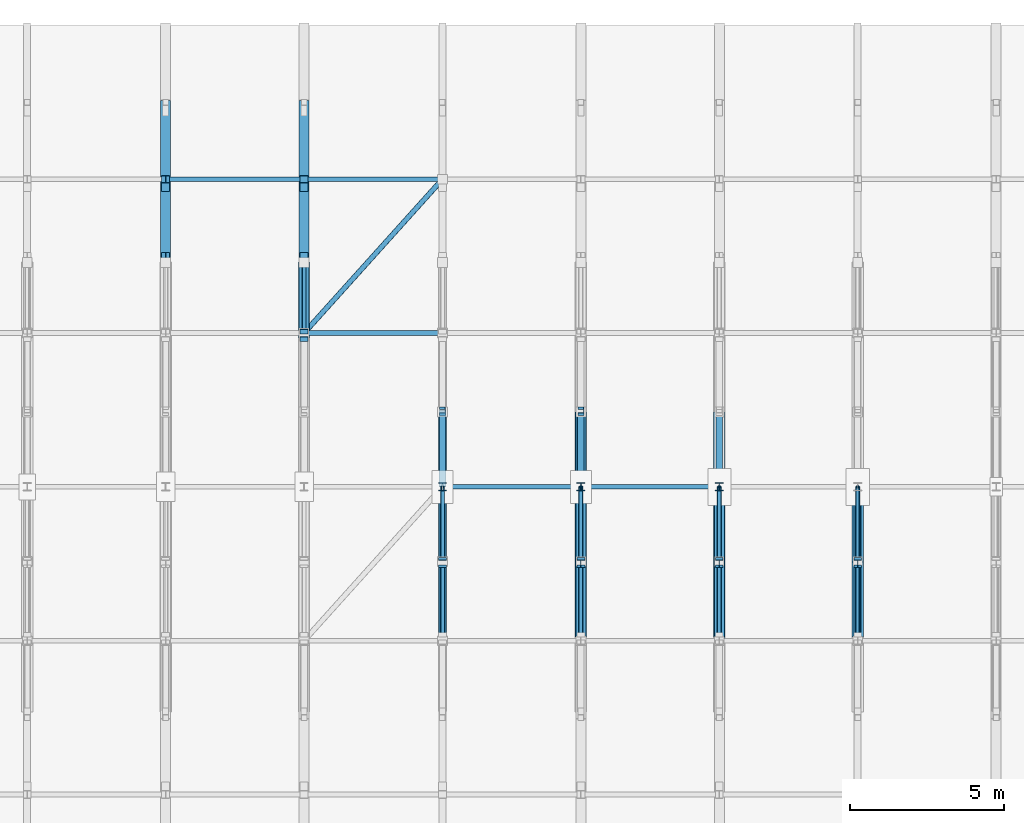
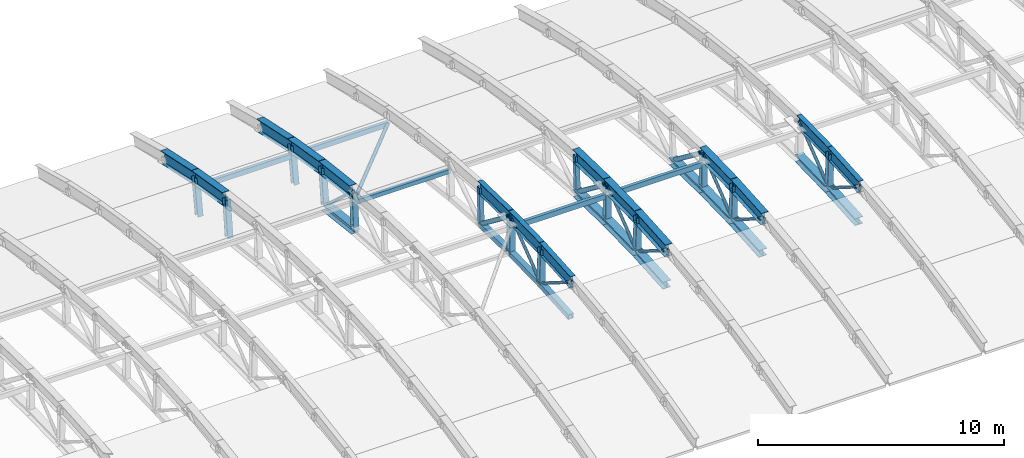
# One storey, part 14 of 53: 44 members, 15 beams.
"""IFC4 building model written with IfcOpenShell, lengths in metres."""

from ifc_helpers import new_model, si_unit, direction, frame, origin, origin_2d, place, context, subcontext, project, spatial, hollow_rectangle, hollow_circle, i_section, extrude, material, material_profile, profile_set, type_object, element, save


model = new_model("IFC4")

# Units and contexts
model_context = context("Model", 3, precision=1e-05, world=origin(), true_north=direction((0.0, 1.0)))
body_context = subcontext(model_context, "Body", "Model", "MODEL_VIEW")
ifc_project = project(units=[si_unit("LENGTHUNIT", "METRE"), si_unit("AREAUNIT", "SQUARE_METRE"), si_unit("VOLUMEUNIT", "CUBIC_METRE"), si_unit("PLANEANGLEUNIT", "RADIAN"), si_unit("MASSUNIT", "GRAM", prefix="KILO")], contexts=[model_context])

# Site, building, storey
site_placement = place(None, origin())
site = spatial("IfcSite", under=ifc_project, at=site_placement, CompositionType="ELEMENT")
building_placement = place(site_placement, origin())
building = spatial("IfcBuilding", under=site, at=building_placement, Name="Cazmaro Siding Exhibition Halls", CompositionType="ELEMENT")
storey_placement = place(building_placement, frame((0.0, 0.0, 21.0)))
storey = spatial("IfcBuildingStorey", under=building, at=storey_placement, Name="L04", CompositionType="ELEMENT", Elevation=21.0)

# Beams
ifc_material_1 = material(Name="Steel ASTM A992 Grade 50", Category="steel")
ifc_material_profile_1 = material_profile(ifc_material_1, i_section(OverallWidth=0.327880859375, OverallDepth=0.626953125, WebThickness=0.01708984375, FlangeThickness=0.028076171875, at=origin_2d()), Name="W24X146")
ifc_profile_set_1 = profile_set([ifc_material_profile_1], Name="Steel ASTM A992 Grade 50")
beam_type_1 = type_object("IfcBeamType", Name="AR-01", PredefinedType="USERDEFINED", material=ifc_profile_set_1)
beam_1_placement = place(storey_placement, frame((72.0, 101.5, 1.971923828125), z_axis=(0.0, 0.98649787474, -0.163774061236), x_axis=(-1.0, 0.0, 0.0)))
element("IfcBeam", 1, at=beam_1_placement, inside=storey, type_object=beam_type_1, Name="Space frame barrel vault arched rib AR-01 BM-0694", ObjectType="ARCHED RIB", PredefinedType="USERDEFINED", context=body_context, shape_type="SweptSolid", body=[
    extrude(i_section(OverallWidth=0.327880859375, OverallDepth=0.626953125, WebThickness=0.01708984375, FlangeThickness=0.028076171875, at=origin_2d()), origin(), (0.0, 0.0, 1.0), 2.5341796875),
])
beam_2_placement = place(storey_placement, frame((72.0, 104.0, 1.556884765625), z_axis=(0.0, 0.977710100146, -0.209959424826), x_axis=(-1.0, 0.0, 0.0)))
element("IfcBeam", 2, at=beam_2_placement, inside=storey, type_object=beam_type_1, Name="Space frame barrel vault arched rib AR-01 BM-0695", ObjectType="ARCHED RIB", PredefinedType="USERDEFINED", context=body_context, shape_type="SweptSolid", body=[
    extrude(i_section(OverallWidth=0.327880859375, OverallDepth=0.626953125, WebThickness=0.01708984375, FlangeThickness=0.028076171875, at=origin_2d()), origin(), (0.0, 0.0, 1.0), 2.556884765625),
])
beam_3_placement = place(storey_placement, frame((85.5, 89.0, 2.26611328125), z_axis=(0.0, 0.997537204184, 0.070139334669), x_axis=(-1.0, 0.0, 0.0)))
element("IfcBeam", 3, at=beam_3_placement, inside=storey, type_object=beam_type_1, Name="Space frame barrel vault arched rib AR-01 BM-0761", ObjectType="ARCHED RIB", PredefinedType="USERDEFINED", context=body_context, shape_type="SweptSolid", body=[
    extrude(i_section(OverallWidth=0.327880859375, OverallDepth=0.626953125, WebThickness=0.01708984375, FlangeThickness=0.028076171875, at=origin_2d()), origin(), (0.0, 0.0, 1.0), 2.506103515625),
])
for number, where, z_axis, x_axis, name in (
    (4, (85.5, 91.5, 2.44189453125), (0.0, 0.999730009742, 0.023235912336), (-1.0, 0.0, 0.0), "Space frame barrel vault arched rib AR-01 BM-0762"),
    (5, (85.5, 94.0, 2.5), (0.0, 0.999730009742, -0.023235912336), (-1.0, 0.0, 0.0), "Space frame barrel vault arched rib AR-01 BM-0763"),
):
    element("IfcBeam", number, at=place(storey_placement, frame(where, z_axis=z_axis, x_axis=x_axis)), inside=storey, type_object=beam_type_1, Name=name, ObjectType="ARCHED RIB", PredefinedType="USERDEFINED", context=body_context, shape_type="SweptSolid", body=[
        extrude(i_section(OverallWidth=0.327880859375, OverallDepth=0.626953125, WebThickness=0.01708984375, FlangeThickness=0.028076171875, at=origin_2d()), origin(), (0.0, 0.0, 1.0), 2.500732421875),
    ])
ifc_material_2 = material(Name="Steel ASTM A992 Grade 50", Category="steel")
ifc_material_profile_2 = material_profile(ifc_material_2, i_section(OverallWidth=0.324951171875, OverallDepth=0.612060546875, WebThickness=0.012939453125, FlangeThickness=0.01904296875, at=origin_2d()), Name="W24X104")
ifc_profile_set_2 = profile_set([ifc_material_profile_2], Name="Steel ASTM A992 Grade 50")
beam_type_2 = type_object("IfcBeamType", Name="AR-02", PredefinedType="USERDEFINED", material=ifc_profile_set_2)
beam_4_placement = place(storey_placement, frame((76.5, 99.0, 2.26611328125), z_axis=(0.0, 0.993147293786, -0.116869383693), x_axis=(-1.0, 0.0, 0.0)))
element("IfcBeam", 6, at=beam_4_placement, inside=storey, type_object=beam_type_2, Name="Space frame barrel vault arched rib AR-02 BM-0717", ObjectType="ARCHED RIB", PredefinedType="USERDEFINED", context=body_context, shape_type="SweptSolid", body=[
    extrude(i_section(OverallWidth=0.324951171875, OverallDepth=0.612060546875, WebThickness=0.012939453125, FlangeThickness=0.01904296875, at=origin_2d()), origin(), (0.0, 0.0, 1.0), 2.517333984375),
])
beam_5_placement = place(storey_placement, frame((76.5, 101.5, 1.971923828125), z_axis=(0.0, 0.98649787474, -0.163774061236), x_axis=(-1.0, 0.0, 0.0)))
element("IfcBeam", 7, at=beam_5_placement, inside=storey, type_object=beam_type_2, Name="Space frame barrel vault arched rib AR-02 BM-0718", ObjectType="ARCHED RIB", PredefinedType="USERDEFINED", context=body_context, shape_type="SweptSolid", body=[
    extrude(i_section(OverallWidth=0.324951171875, OverallDepth=0.612060546875, WebThickness=0.012939453125, FlangeThickness=0.01904296875, at=origin_2d()), origin(), (0.0, 0.0, 1.0), 2.5341796875),
])
beam_6_placement = place(storey_placement, frame((76.5, 104.0, 1.556884765625), z_axis=(0.0, 0.977710100146, -0.209959424826), x_axis=(-1.0, 0.0, 0.0)))
element("IfcBeam", 8, at=beam_6_placement, inside=storey, type_object=beam_type_2, Name="Space frame barrel vault arched rib AR-02 BM-0719", ObjectType="ARCHED RIB", PredefinedType="USERDEFINED", context=body_context, shape_type="SweptSolid", body=[
    extrude(i_section(OverallWidth=0.324951171875, OverallDepth=0.612060546875, WebThickness=0.012939453125, FlangeThickness=0.01904296875, at=origin_2d()), origin(), (0.0, 0.0, 1.0), 2.556884765625),
])
beam_7_placement = place(storey_placement, frame((90.0, 89.0, 2.26611328125), z_axis=(0.0, 0.997537204184, 0.070139334669), x_axis=(-1.0, 0.0, 0.0)))
element("IfcBeam", 9, at=beam_7_placement, inside=storey, type_object=beam_type_2, Name="Space frame barrel vault arched rib AR-02 BM-0785", ObjectType="ARCHED RIB", PredefinedType="USERDEFINED", context=body_context, shape_type="SweptSolid", body=[
    extrude(i_section(OverallWidth=0.324951171875, OverallDepth=0.612060546875, WebThickness=0.012939453125, FlangeThickness=0.01904296875, at=origin_2d()), origin(), (0.0, 0.0, 1.0), 2.506103515625),
])
beam_8_placement = place(storey_placement, frame((90.0, 91.5, 2.44189453125), z_axis=(0.0, 0.999730009742, 0.023235912336), x_axis=(-1.0, 0.0, 0.0)))
element("IfcBeam", 10, at=beam_8_placement, inside=storey, type_object=beam_type_2, Name="Space frame barrel vault arched rib AR-02 BM-0786", ObjectType="ARCHED RIB", PredefinedType="USERDEFINED", context=body_context, shape_type="SweptSolid", body=[
    extrude(i_section(OverallWidth=0.324951171875, OverallDepth=0.612060546875, WebThickness=0.012939453125, FlangeThickness=0.01904296875, at=origin_2d()), origin(), (0.0, 0.0, 1.0), 2.500732421875),
])
ifc_material_3 = material(Name="Steel ASTM A992 Grade 50", Category="steel")
ifc_material_profile_3 = material_profile(ifc_material_3, i_section(OverallWidth=0.22900390625, OverallDepth=0.612060546875, WebThickness=0.011962890625, FlangeThickness=0.02001953125, at=origin_2d()), Name="W24X84")
ifc_profile_set_3 = profile_set([ifc_material_profile_3], Name="Steel ASTM A992 Grade 50")
beam_type_3 = type_object("IfcBeamType", Name="AR-03", PredefinedType="USERDEFINED", material=ifc_profile_set_3)
beam_9_placement = place(storey_placement, frame((81.0, 89.0, 2.26611328125), z_axis=(0.0, 0.997537204184, 0.070139334669), x_axis=(-1.0, 0.0, 0.0)))
element("IfcBeam", 11, at=beam_9_placement, inside=storey, type_object=beam_type_3, Name="Space frame barrel vault arched rib AR-03 BM-0737", ObjectType="ARCHED RIB", PredefinedType="USERDEFINED", context=body_context, shape_type="SweptSolid", body=[
    extrude(i_section(OverallWidth=0.22900390625, OverallDepth=0.612060546875, WebThickness=0.011962890625, FlangeThickness=0.02001953125, at=origin_2d()), origin(), (0.0, 0.0, 1.0), 2.506103515625),
])
for number, where, z_axis, x_axis, name in (
    (12, (81.0, 91.5, 2.44189453125), (0.0, 0.999730009742, 0.023235912336), (-1.0, 0.0, 0.0), "Space frame barrel vault arched rib AR-03 BM-0738"),
    (13, (81.0, 94.0, 2.5), (0.0, 0.999730009742, -0.023235912336), (-1.0, 0.0, 0.0), "Space frame barrel vault arched rib AR-03 BM-0739"),
):
    element("IfcBeam", number, at=place(storey_placement, frame(where, z_axis=z_axis, x_axis=x_axis)), inside=storey, type_object=beam_type_3, Name=name, ObjectType="ARCHED RIB", PredefinedType="USERDEFINED", context=body_context, shape_type="SweptSolid", body=[
        extrude(i_section(OverallWidth=0.22900390625, OverallDepth=0.612060546875, WebThickness=0.011962890625, FlangeThickness=0.02001953125, at=origin_2d()), origin(), (0.0, 0.0, 1.0), 2.500732421875),
    ])
beam_10_placement = place(storey_placement, frame((94.5, 89.0, 2.26611328125), z_axis=(0.0, 0.997537204184, 0.070139334669), x_axis=(-1.0, 0.0, 0.0)))
element("IfcBeam", 14, at=beam_10_placement, inside=storey, type_object=beam_type_3, Name="Space frame barrel vault arched rib AR-03 BM-0809", ObjectType="ARCHED RIB", PredefinedType="USERDEFINED", context=body_context, shape_type="SweptSolid", body=[
    extrude(i_section(OverallWidth=0.22900390625, OverallDepth=0.612060546875, WebThickness=0.011962890625, FlangeThickness=0.02001953125, at=origin_2d()), origin(), (0.0, 0.0, 1.0), 2.506103515625),
])
beam_11_placement = place(storey_placement, frame((94.5, 91.5, 2.44189453125), z_axis=(0.0, 0.999730009742, 0.023235912336), x_axis=(-1.0, 0.0, 0.0)))
element("IfcBeam", 15, at=beam_11_placement, inside=storey, type_object=beam_type_3, Name="Space frame barrel vault arched rib AR-03 BM-0810", ObjectType="ARCHED RIB", PredefinedType="USERDEFINED", context=body_context, shape_type="SweptSolid", body=[
    extrude(i_section(OverallWidth=0.22900390625, OverallDepth=0.612060546875, WebThickness=0.011962890625, FlangeThickness=0.02001953125, at=origin_2d()), origin(), (0.0, 0.0, 1.0), 2.500732421875),
])

# Members
ifc_material_4 = material(Name="Steel ASTM A500 Grade C", Category="steel")
ifc_material_profile_4 = material_profile(ifc_material_4, hollow_rectangle(XDim=0.152099609375, YDim=0.202880859375, WallThickness=0.011962890625, at=origin_2d()), Name="HSS8X6X1/2")
ifc_profile_set_4 = profile_set([ifc_material_profile_4], Name="Steel ASTM A500 Grade C")
member_type_1 = type_object("IfcMemberType", Name="RP-01", PredefinedType="PURLIN", material=ifc_profile_set_4)
member_1_placement = place(storey_placement, frame((76.5, 99.0, 1.72607421875), z_axis=(1.0, 0.0, 0.0), x_axis=(0.0, 1.0, 0.0)))
element("IfcMember", 16, at=member_1_placement, inside=storey, type_object=member_type_1, Name="Space frame barrel vault purlin RP-01 MEM-2053", PredefinedType="PURLIN", context=body_context, shape_type="SweptSolid", body=[
    extrude(hollow_rectangle(XDim=0.152099609375, YDim=0.202880859375, WallThickness=0.011962890625, at=origin_2d()), origin(), (0.0, 0.0, 1.0), 4.5),
])
ifc_material_5 = material(Name="Steel ASTM A500 Grade C", Category="steel")
ifc_material_profile_5 = material_profile(ifc_material_5, hollow_rectangle(XDim=0.152099609375, YDim=0.25390625, WallThickness=0.011962890625, at=origin_2d()), Name="HSS10X6X1/2")
ifc_profile_set_5 = profile_set([ifc_material_profile_5], Name="Steel ASTM A500 Grade C")
member_type_2 = type_object("IfcMemberType", Name="RP-04", PredefinedType="PURLIN", material=ifc_profile_set_5)
for number, where, z_axis, x_axis, name in (
    (17, (72.0, 104.0, 1.01708984375), (1.0, 0.0, 0.0), (0.0, 1.0, 0.0), "Space frame barrel vault purlin RP-04 MEM-2043"),
    (18, (76.5, 104.0, 1.01708984375), (1.0, 0.0, 0.0), (0.0, 1.0, 0.0), "Space frame barrel vault purlin RP-04 MEM-2054"),
    (19, (81.0, 94.0, 1.9599609375), (1.0, 0.0, 0.0), (0.0, 1.0, 0.0), "Space frame barrel vault purlin RP-04 MEM-2069"),
    (20, (85.5, 94.0, 1.9599609375), (1.0, 0.0, 0.0), (0.0, 1.0, 0.0), "Space frame barrel vault purlin RP-04 MEM-2080"),
):
    element("IfcMember", number, at=place(storey_placement, frame(where, z_axis=z_axis, x_axis=x_axis)), inside=storey, type_object=member_type_2, Name=name, PredefinedType="PURLIN", context=body_context, shape_type="SweptSolid", body=[
        extrude(hollow_rectangle(XDim=0.152099609375, YDim=0.25390625, WallThickness=0.011962890625, at=origin_2d()), origin(), (0.0, 0.0, 1.0), 4.5),
    ])
ifc_material_6 = material(Name="Steel ASTM A500 Grade C", Category="steel")
ifc_material_profile_6 = material_profile(ifc_material_6, hollow_rectangle(XDim=0.25390625, YDim=0.25390625, WallThickness=0.014892578125, at=origin_2d()), Name="HSS10X10X5/8")
ifc_profile_set_6 = profile_set([ifc_material_profile_6], Name="Steel ASTM A500 Grade C")
member_type_3 = type_object("IfcMemberType", Name="TC-01", PredefinedType="CHORD", material=ifc_profile_set_6)
member_2_placement = place(storey_placement, frame((81.0, 89.139892578125, 0.472900390625), z_axis=(0.0, 0.997529419526, 0.070249962135), x_axis=(-1.0, 0.0, 0.0)))
element("IfcMember", 21, at=member_2_placement, inside=storey, type_object=member_type_3, Name="Space frame barrel vault bottom chord TC-01 MEM-0541", PredefinedType="CHORD", context=body_context, shape_type="SweptSolid", body=[
    extrude(hollow_rectangle(XDim=0.25390625, YDim=0.25390625, WallThickness=0.014892578125, at=origin_2d()), origin(), (0.0, 0.0, 1.0), 2.436279296875),
])
for number, where, z_axis, x_axis, name in (
    (22, (81.0, 91.570068359375, 0.64404296875), (0.0, 0.99973541783, 0.023002050707), (-1.0, 0.0, 0.0), "Space frame barrel vault bottom chord TC-01 MEM-0543"),
    (23, (81.0, 94.0, 0.699951171875), (0.0, 0.99973541783, -0.023002050707), (-1.0, 0.0, 0.0), "Space frame barrel vault bottom chord TC-01 MEM-0545"),
):
    element("IfcMember", number, at=place(storey_placement, frame(where, z_axis=z_axis, x_axis=x_axis)), inside=storey, type_object=member_type_3, Name=name, PredefinedType="CHORD", context=body_context, shape_type="SweptSolid", body=[
        extrude(hollow_rectangle(XDim=0.25390625, YDim=0.25390625, WallThickness=0.014892578125, at=origin_2d()), origin(), (0.0, 0.0, 1.0), 2.4306640625),
    ])
ifc_material_7 = material(Name="Steel ASTM A992 Grade 50", Category="steel")
ifc_material_profile_7 = material_profile(ifc_material_7, i_section(OverallWidth=0.37109375, OverallDepth=0.364013671875, WebThickness=0.012939453125, FlangeThickness=0.02197265625, at=origin_2d()), Name="W14X109")
ifc_profile_set_7 = profile_set([ifc_material_profile_7], Name="Steel ASTM A992 Grade 50")
member_type_4 = type_object("IfcMemberType", Name="TC-06", PredefinedType="CHORD", material=ifc_profile_set_7)
member_3_placement = place(storey_placement, frame((76.5, 98.860107421875, 0.472900390625), z_axis=(0.0, 0.993149923187, -0.116847037079), x_axis=(-1.0, 0.0, 0.0)))
element("IfcMember", 24, at=member_3_placement, inside=storey, type_object=member_type_4, Name="Space frame barrel vault bottom chord TC-06 MEM-0478", PredefinedType="CHORD", context=body_context, shape_type="SweptSolid", body=[
    extrude(i_section(OverallWidth=0.37109375, OverallDepth=0.364013671875, WebThickness=0.012939453125, FlangeThickness=0.02197265625, at=origin_2d()), origin(), (0.0, 0.0, 1.0), 2.44677734375),
])
member_4_placement = place(storey_placement, frame((85.5, 89.139892578125, 0.472900390625), z_axis=(0.0, 0.997529419526, 0.070249962135), x_axis=(-1.0, 0.0, 0.0)))
element("IfcMember", 25, at=member_4_placement, inside=storey, type_object=member_type_4, Name="Space frame barrel vault bottom chord TC-06 MEM-0612", PredefinedType="CHORD", context=body_context, shape_type="SweptSolid", body=[
    extrude(i_section(OverallWidth=0.37109375, OverallDepth=0.364013671875, WebThickness=0.012939453125, FlangeThickness=0.02197265625, at=origin_2d()), origin(), (0.0, 0.0, 1.0), 2.436279296875),
])
for number, where, z_axis, x_axis, name in (
    (26, (85.5, 91.570068359375, 0.64404296875), (0.0, 0.99973541783, 0.023002050707), (-1.0, 0.0, 0.0), "Space frame barrel vault bottom chord TC-06 MEM-0614"),
    (27, (85.5, 94.0, 0.699951171875), (0.0, 0.99973541783, -0.023002050707), (-1.0, 0.0, 0.0), "Space frame barrel vault bottom chord TC-06 MEM-0616"),
):
    element("IfcMember", number, at=place(storey_placement, frame(where, z_axis=z_axis, x_axis=x_axis)), inside=storey, type_object=member_type_4, Name=name, PredefinedType="CHORD", context=body_context, shape_type="SweptSolid", body=[
        extrude(i_section(OverallWidth=0.37109375, OverallDepth=0.364013671875, WebThickness=0.012939453125, FlangeThickness=0.02197265625, at=origin_2d()), origin(), (0.0, 0.0, 1.0), 2.4306640625),
    ])
member_5_placement = place(storey_placement, frame((90.0, 89.139892578125, 0.472900390625), z_axis=(0.0, 0.997529419526, 0.070249962135), x_axis=(-1.0, 0.0, 0.0)))
element("IfcMember", 28, at=member_5_placement, inside=storey, type_object=member_type_4, Name="Space frame barrel vault bottom chord TC-06 MEM-0683", PredefinedType="CHORD", context=body_context, shape_type="SweptSolid", body=[
    extrude(i_section(OverallWidth=0.37109375, OverallDepth=0.364013671875, WebThickness=0.012939453125, FlangeThickness=0.02197265625, at=origin_2d()), origin(), (0.0, 0.0, 1.0), 2.436279296875),
])
for number, where, z_axis, x_axis, name in (
    (29, (90.0, 91.570068359375, 0.64404296875), (0.0, 0.99973541783, 0.023002050707), (-1.0, 0.0, 0.0), "Space frame barrel vault bottom chord TC-06 MEM-0685"),
    (30, (90.0, 94.0, 0.699951171875), (0.0, 0.99973541783, -0.023002050707), (-1.0, 0.0, 0.0), "Space frame barrel vault bottom chord TC-06 MEM-0687"),
):
    element("IfcMember", number, at=place(storey_placement, frame(where, z_axis=z_axis, x_axis=x_axis)), inside=storey, type_object=member_type_4, Name=name, PredefinedType="CHORD", context=body_context, shape_type="SweptSolid", body=[
        extrude(i_section(OverallWidth=0.37109375, OverallDepth=0.364013671875, WebThickness=0.012939453125, FlangeThickness=0.02197265625, at=origin_2d()), origin(), (0.0, 0.0, 1.0), 2.4306640625),
    ])
member_6_placement = place(storey_placement, frame((94.5, 89.139892578125, 0.472900390625), z_axis=(0.0, 0.997529419526, 0.070249962135), x_axis=(-1.0, 0.0, 0.0)))
element("IfcMember", 31, at=member_6_placement, inside=storey, type_object=member_type_4, Name="Space frame barrel vault bottom chord TC-06 MEM-0754", PredefinedType="CHORD", context=body_context, shape_type="SweptSolid", body=[
    extrude(i_section(OverallWidth=0.37109375, OverallDepth=0.364013671875, WebThickness=0.012939453125, FlangeThickness=0.02197265625, at=origin_2d()), origin(), (0.0, 0.0, 1.0), 2.436279296875),
])
member_7_placement = place(storey_placement, frame((94.5, 91.570068359375, 0.64404296875), z_axis=(0.0, 0.99973541783, 0.023002050707), x_axis=(-1.0, 0.0, 0.0)))
element("IfcMember", 32, at=member_7_placement, inside=storey, type_object=member_type_4, Name="Space frame barrel vault bottom chord TC-06 MEM-0756", PredefinedType="CHORD", context=body_context, shape_type="SweptSolid", body=[
    extrude(i_section(OverallWidth=0.37109375, OverallDepth=0.364013671875, WebThickness=0.012939453125, FlangeThickness=0.02197265625, at=origin_2d()), origin(), (0.0, 0.0, 1.0), 2.4306640625),
])
ifc_material_8 = material(Name="Steel ASTM A500 Grade C", Category="steel")
ifc_material_profile_8 = material_profile(ifc_material_8, hollow_rectangle(XDim=0.202880859375, YDim=0.202880859375, WallThickness=0.011962890625, at=origin_2d()), Name="HSS8X8X1/2")
ifc_profile_set_8 = profile_set([ifc_material_profile_8], Name="Steel ASTM A500 Grade C")
member_type_5 = type_object("IfcMemberType", Name="TP-01", PredefinedType="POST", material=ifc_profile_set_8)
for number, where, z_axis, x_axis, name in (
    (33, (81.0, 96.429931640625, 0.64404296875), (0.0, 0.038943818889, 0.999241401749), (-1.0, 0.0, 0.0), "Space frame barrel vault post TP-01 MEM-0581"),
    (34, (85.5, 96.429931640625, 0.64404296875), (0.0, 0.038943818889, 0.999241401749), (-1.0, 0.0, 0.0), "Space frame barrel vault post TP-01 MEM-0652"),
):
    element("IfcMember", number, at=place(storey_placement, frame(where, z_axis=z_axis, x_axis=x_axis)), inside=storey, type_object=member_type_5, Name=name, PredefinedType="POST", context=body_context, shape_type="SweptSolid", body=[
        extrude(hollow_rectangle(XDim=0.202880859375, YDim=0.202880859375, WallThickness=0.011962890625, at=origin_2d()), origin(), (0.0, 0.0, 1.0), 1.79931640625),
    ])
ifc_material_9 = material(Name="Steel ASTM A992 Grade 50", Category="steel")
ifc_material_profile_9 = material_profile(ifc_material_9, i_section(OverallWidth=0.25390625, OverallDepth=0.25390625, WebThickness=0.009033203125, FlangeThickness=0.013916015625, at=origin_2d()), Name="W10X49")
ifc_profile_set_9 = profile_set([ifc_material_profile_9], Name="Steel ASTM A992 Grade 50")
member_type_6 = type_object("IfcMemberType", Name="TP-04", PredefinedType="POST", material=ifc_profile_set_9)
member_8_placement = place(storey_placement, frame((72.0, 101.2900390625, 0.18701171875), z_axis=(0.0, 0.116825484133, 0.993152458718), x_axis=(-1.0, 0.0, 0.0)))
element("IfcMember", 35, at=member_8_placement, inside=storey, type_object=member_type_6, Name="Space frame barrel vault post TP-04 MEM-0441", PredefinedType="POST", context=body_context, shape_type="SweptSolid", body=[
    extrude(i_section(OverallWidth=0.25390625, OverallDepth=0.25390625, WebThickness=0.009033203125, FlangeThickness=0.013916015625, at=origin_2d()), origin(), (0.0, 0.0, 1.0), 1.797119140625),
])
member_9_placement = place(storey_placement, frame((72.0, 103.719970703125, -0.217041015625), z_axis=(0.0, 0.155927668857, 0.987768475952), x_axis=(-1.0, 0.0, 0.0)))
element("IfcMember", 36, at=member_9_placement, inside=storey, type_object=member_type_6, Name="Space frame barrel vault post TP-04 MEM-0442", PredefinedType="POST", context=body_context, shape_type="SweptSolid", body=[
    extrude(i_section(OverallWidth=0.25390625, OverallDepth=0.25390625, WebThickness=0.009033203125, FlangeThickness=0.013916015625, at=origin_2d()), origin(), (0.0, 0.0, 1.0), 1.7958984375),
])
member_10_placement = place(storey_placement, frame((76.5, 98.860107421875, 0.472900390625), z_axis=(0.0, 0.077775943468, 0.996970863475), x_axis=(-1.0, 0.0, 0.0)))
element("IfcMember", 37, at=member_10_placement, inside=storey, type_object=member_type_6, Name="Space frame barrel vault post TP-04 MEM-0511", PredefinedType="POST", context=body_context, shape_type="SweptSolid", body=[
    extrude(i_section(OverallWidth=0.25390625, OverallDepth=0.25390625, WebThickness=0.009033203125, FlangeThickness=0.013916015625, at=origin_2d()), origin(), (0.0, 0.0, 1.0), 1.798583984375),
])
member_11_placement = place(storey_placement, frame((76.5, 101.2900390625, 0.18701171875), z_axis=(0.0, 0.116825484133, 0.993152458718), x_axis=(-1.0, 0.0, 0.0)))
element("IfcMember", 38, at=member_11_placement, inside=storey, type_object=member_type_6, Name="Space frame barrel vault post TP-04 MEM-0512", PredefinedType="POST", context=body_context, shape_type="SweptSolid", body=[
    extrude(i_section(OverallWidth=0.25390625, OverallDepth=0.25390625, WebThickness=0.009033203125, FlangeThickness=0.013916015625, at=origin_2d()), origin(), (0.0, 0.0, 1.0), 1.797119140625),
])
member_12_placement = place(storey_placement, frame((76.5, 103.719970703125, -0.217041015625), z_axis=(0.0, 0.155927668857, 0.987768475952), x_axis=(-1.0, 0.0, 0.0)))
element("IfcMember", 39, at=member_12_placement, inside=storey, type_object=member_type_6, Name="Space frame barrel vault post TP-04 MEM-0513", PredefinedType="POST", context=body_context, shape_type="SweptSolid", body=[
    extrude(i_section(OverallWidth=0.25390625, OverallDepth=0.25390625, WebThickness=0.009033203125, FlangeThickness=0.013916015625, at=origin_2d()), origin(), (0.0, 0.0, 1.0), 1.7958984375),
])
member_13_placement = place(storey_placement, frame((81.0, 91.570068359375, 0.64404296875), z_axis=(0.0, -0.038943818889, 0.999241401749), x_axis=(1.0, 0.0, 0.0)))
element("IfcMember", 40, at=member_13_placement, inside=storey, type_object=member_type_6, Name="Space frame barrel vault post TP-04 MEM-0579", PredefinedType="POST", context=body_context, shape_type="SweptSolid", body=[
    extrude(i_section(OverallWidth=0.25390625, OverallDepth=0.25390625, WebThickness=0.009033203125, FlangeThickness=0.013916015625, at=origin_2d()), origin(), (0.0, 0.0, 1.0), 1.79931640625),
])
member_14_placement = place(storey_placement, frame((81.0, 94.0, 0.699951171875), z_axis=(0.0, 0.0, 1.0), x_axis=(1.0, 0.0, 0.0)))
element("IfcMember", 41, at=member_14_placement, inside=storey, type_object=member_type_6, Name="Space frame barrel vault post TP-04 MEM-0580", PredefinedType="POST", context=body_context, shape_type="SweptSolid", body=[
    extrude(i_section(OverallWidth=0.25390625, OverallDepth=0.25390625, WebThickness=0.009033203125, FlangeThickness=0.013916015625, at=origin_2d()), origin(), (0.0, 0.0, 1.0), 1.800048828125),
])
member_15_placement = place(storey_placement, frame((85.5, 91.570068359375, 0.64404296875), z_axis=(0.0, -0.038943818889, 0.999241401749), x_axis=(1.0, 0.0, 0.0)))
element("IfcMember", 42, at=member_15_placement, inside=storey, type_object=member_type_6, Name="Space frame barrel vault post TP-04 MEM-0650", PredefinedType="POST", context=body_context, shape_type="SweptSolid", body=[
    extrude(i_section(OverallWidth=0.25390625, OverallDepth=0.25390625, WebThickness=0.009033203125, FlangeThickness=0.013916015625, at=origin_2d()), origin(), (0.0, 0.0, 1.0), 1.79931640625),
])
member_16_placement = place(storey_placement, frame((85.5, 94.0, 0.699951171875), z_axis=(0.0, 0.0, 1.0), x_axis=(1.0, 0.0, 0.0)))
element("IfcMember", 43, at=member_16_placement, inside=storey, type_object=member_type_6, Name="Space frame barrel vault post TP-04 MEM-0651", PredefinedType="POST", context=body_context, shape_type="SweptSolid", body=[
    extrude(i_section(OverallWidth=0.25390625, OverallDepth=0.25390625, WebThickness=0.009033203125, FlangeThickness=0.013916015625, at=origin_2d()), origin(), (0.0, 0.0, 1.0), 1.800048828125),
])
member_17_placement = place(storey_placement, frame((90.0, 91.570068359375, 0.64404296875), z_axis=(0.0, -0.038943818889, 0.999241401749), x_axis=(1.0, 0.0, 0.0)))
element("IfcMember", 44, at=member_17_placement, inside=storey, type_object=member_type_6, Name="Space frame barrel vault post TP-04 MEM-0721", PredefinedType="POST", context=body_context, shape_type="SweptSolid", body=[
    extrude(i_section(OverallWidth=0.25390625, OverallDepth=0.25390625, WebThickness=0.009033203125, FlangeThickness=0.013916015625, at=origin_2d()), origin(), (0.0, 0.0, 1.0), 1.79931640625),
])
member_18_placement = place(storey_placement, frame((90.0, 94.0, 0.699951171875), z_axis=(0.0, 0.0, 1.0), x_axis=(1.0, 0.0, 0.0)))
element("IfcMember", 45, at=member_18_placement, inside=storey, type_object=member_type_6, Name="Space frame barrel vault post TP-04 MEM-0722", PredefinedType="POST", context=body_context, shape_type="SweptSolid", body=[
    extrude(i_section(OverallWidth=0.25390625, OverallDepth=0.25390625, WebThickness=0.009033203125, FlangeThickness=0.013916015625, at=origin_2d()), origin(), (0.0, 0.0, 1.0), 1.800048828125),
])
member_19_placement = place(storey_placement, frame((94.5, 91.570068359375, 0.64404296875), z_axis=(0.0, -0.038943818889, 0.999241401749), x_axis=(1.0, 0.0, 0.0)))
element("IfcMember", 46, at=member_19_placement, inside=storey, type_object=member_type_6, Name="Space frame barrel vault post TP-04 MEM-0792", PredefinedType="POST", context=body_context, shape_type="SweptSolid", body=[
    extrude(i_section(OverallWidth=0.25390625, OverallDepth=0.25390625, WebThickness=0.009033203125, FlangeThickness=0.013916015625, at=origin_2d()), origin(), (0.0, 0.0, 1.0), 1.79931640625),
])
ifc_material_10 = material(Name="Steel ASTM A500 Grade C", Category="steel")
ifc_material_profile_10 = material_profile(ifc_material_10, hollow_circle(Radius=0.109619140625, WallThickness=0.012939453125, at=origin_2d()), Name="PIPE8XS")
ifc_profile_set_10 = profile_set([ifc_material_profile_10], Name="Steel ASTM A500 Grade C")
member_type_7 = type_object("IfcMemberType", Name="WB-01", PredefinedType="BRACE", material=ifc_profile_set_10)
for number, where, z_axis, x_axis, name in (
    (47, (81.0, 94.0, 2.5), (0.0, 0.794708988455, -0.60699062898), (-1.0, 0.0, 0.0), "Space frame barrel vault diagonal WB-01 MEM-0546"),
    (48, (85.5, 94.0, 2.5), (0.0, 0.794708988455, -0.60699062898), (-1.0, 0.0, 0.0), "Space frame barrel vault diagonal WB-01 MEM-0617"),
    (49, (90.0, 94.0, 2.5), (0.0, 0.794708988455, -0.60699062898), (-1.0, 0.0, 0.0), "Space frame barrel vault diagonal WB-01 MEM-0688"),
):
    element("IfcMember", number, at=place(storey_placement, frame(where, z_axis=z_axis, x_axis=x_axis)), inside=storey, type_object=member_type_7, Name=name, PredefinedType="BRACE", context=body_context, shape_type="SweptSolid", body=[
        extrude(hollow_circle(Radius=0.109619140625, WallThickness=0.012939453125, at=origin_2d()), origin(), (0.0, 0.0, 1.0), 3.0576171875),
    ])
ifc_material_11 = material(Name="Steel ASTM A500 Grade C", Category="steel")
ifc_material_profile_11 = material_profile(ifc_material_11, hollow_circle(Radius=0.083984375, WallThickness=0.01806640625, at=origin_2d()), Name="PIPE6XXS")
ifc_profile_set_11 = profile_set([ifc_material_profile_11], Name="Steel ASTM A500 Grade C")
member_type_8 = type_object("IfcMemberType", Name="WB-05", PredefinedType="BRACE", material=ifc_profile_set_11)
member_20_placement = place(storey_placement, frame((76.5, 99.0, 1.72607421875), z_axis=(0.66527981217, 0.7391997913, -0.104816220407), x_axis=(-0.743294146247, 0.668964731622, 0.0)))
element("IfcMember", 50, at=member_20_placement, inside=storey, type_object=member_type_8, Name="Space frame barrel vault wind brace WB-05 MEM-2060", PredefinedType="BRACE", context=body_context, shape_type="SweptSolid", body=[
    extrude(hollow_circle(Radius=0.083984375, WallThickness=0.01806640625, at=origin_2d()), origin(), (0.0, 0.0, 1.0), 6.76416015625),
])
ifc_material_12 = material(Name="Steel ASTM A500 Grade C", Category="steel")
ifc_material_profile_12 = material_profile(ifc_material_12, hollow_circle(Radius=0.070556640625, WallThickness=0.01904296875, at=origin_2d()), Name="PIPE5XXS")
ifc_profile_set_12 = profile_set([ifc_material_profile_12], Name="Steel ASTM A500 Grade C")
member_type_9 = type_object("IfcMemberType", Name="WB-07", PredefinedType="BRACE", material=ifc_profile_set_12)
member_21_placement = place(storey_placement, frame((76.5, 99.0, 2.26611328125), z_axis=(0.0, 0.740382789782, -0.672185483772), x_axis=(-1.0, 0.0, 0.0)))
element("IfcMember", 51, at=member_21_placement, inside=storey, type_object=member_type_9, Name="Space frame barrel vault diagonal WB-07 MEM-0479", PredefinedType="BRACE", context=body_context, shape_type="SweptSolid", body=[
    extrude(hollow_circle(Radius=0.070556640625, WallThickness=0.01904296875, at=origin_2d()), origin(), (0.0, 0.0, 1.0), 3.093017578125),
])
member_22_placement = place(storey_placement, frame((81.0, 89.0, 2.26611328125), z_axis=(0.0, 0.84565684294, -0.533726993872), x_axis=(-1.0, 0.0, 0.0)))
element("IfcMember", 52, at=member_22_placement, inside=storey, type_object=member_type_9, Name="Space frame barrel vault diagonal WB-07 MEM-0542", PredefinedType="BRACE", context=body_context, shape_type="SweptSolid", body=[
    extrude(hollow_circle(Radius=0.070556640625, WallThickness=0.01904296875, at=origin_2d()), origin(), (0.0, 0.0, 1.0), 3.0390625),
])
member_23_placement = place(storey_placement, frame((81.0, 91.570068359375, 0.64404296875), z_axis=(0.0, 0.794708988455, 0.60699062898), x_axis=(-1.0, 0.0, 0.0)))
element("IfcMember", 53, at=member_23_placement, inside=storey, type_object=member_type_9, Name="Space frame barrel vault diagonal WB-07 MEM-0544", PredefinedType="BRACE", context=body_context, shape_type="SweptSolid", body=[
    extrude(hollow_circle(Radius=0.070556640625, WallThickness=0.01904296875, at=origin_2d()), origin(), (0.0, 0.0, 1.0), 3.0576171875),
])
member_24_placement = place(storey_placement, frame((85.5, 89.0, 2.26611328125), z_axis=(0.0, 0.84565684294, -0.533726993872), x_axis=(-1.0, 0.0, 0.0)))
element("IfcMember", 54, at=member_24_placement, inside=storey, type_object=member_type_9, Name="Space frame barrel vault diagonal WB-07 MEM-0613", PredefinedType="BRACE", context=body_context, shape_type="SweptSolid", body=[
    extrude(hollow_circle(Radius=0.070556640625, WallThickness=0.01904296875, at=origin_2d()), origin(), (0.0, 0.0, 1.0), 3.0390625),
])
member_25_placement = place(storey_placement, frame((85.5, 91.570068359375, 0.64404296875), z_axis=(0.0, 0.794708988455, 0.60699062898), x_axis=(-1.0, 0.0, 0.0)))
element("IfcMember", 55, at=member_25_placement, inside=storey, type_object=member_type_9, Name="Space frame barrel vault diagonal WB-07 MEM-0615", PredefinedType="BRACE", context=body_context, shape_type="SweptSolid", body=[
    extrude(hollow_circle(Radius=0.070556640625, WallThickness=0.01904296875, at=origin_2d()), origin(), (0.0, 0.0, 1.0), 3.0576171875),
])
member_26_placement = place(storey_placement, frame((90.0, 89.0, 2.26611328125), z_axis=(0.0, 0.84565684294, -0.533726993872), x_axis=(-1.0, 0.0, 0.0)))
element("IfcMember", 56, at=member_26_placement, inside=storey, type_object=member_type_9, Name="Space frame barrel vault diagonal WB-07 MEM-0684", PredefinedType="BRACE", context=body_context, shape_type="SweptSolid", body=[
    extrude(hollow_circle(Radius=0.070556640625, WallThickness=0.01904296875, at=origin_2d()), origin(), (0.0, 0.0, 1.0), 3.0390625),
])
member_27_placement = place(storey_placement, frame((90.0, 91.570068359375, 0.64404296875), z_axis=(0.0, 0.794708988455, 0.60699062898), x_axis=(-1.0, 0.0, 0.0)))
element("IfcMember", 57, at=member_27_placement, inside=storey, type_object=member_type_9, Name="Space frame barrel vault diagonal WB-07 MEM-0686", PredefinedType="BRACE", context=body_context, shape_type="SweptSolid", body=[
    extrude(hollow_circle(Radius=0.070556640625, WallThickness=0.01904296875, at=origin_2d()), origin(), (0.0, 0.0, 1.0), 3.0576171875),
])
member_28_placement = place(storey_placement, frame((94.5, 89.0, 2.26611328125), z_axis=(0.0, 0.84565684294, -0.533726993872), x_axis=(-1.0, 0.0, 0.0)))
element("IfcMember", 58, at=member_28_placement, inside=storey, type_object=member_type_9, Name="Space frame barrel vault diagonal WB-07 MEM-0755", PredefinedType="BRACE", context=body_context, shape_type="SweptSolid", body=[
    extrude(hollow_circle(Radius=0.070556640625, WallThickness=0.01904296875, at=origin_2d()), origin(), (0.0, 0.0, 1.0), 3.0390625),
])
member_29_placement = place(storey_placement, frame((94.5, 91.570068359375, 0.64404296875), z_axis=(0.0, 0.794708988455, 0.60699062898), x_axis=(-1.0, 0.0, 0.0)))
element("IfcMember", 59, at=member_29_placement, inside=storey, type_object=member_type_9, Name="Space frame barrel vault diagonal WB-07 MEM-0757", PredefinedType="BRACE", context=body_context, shape_type="SweptSolid", body=[
    extrude(hollow_circle(Radius=0.070556640625, WallThickness=0.01904296875, at=origin_2d()), origin(), (0.0, 0.0, 1.0), 3.0576171875),
])

save(model, "model.ifc")
